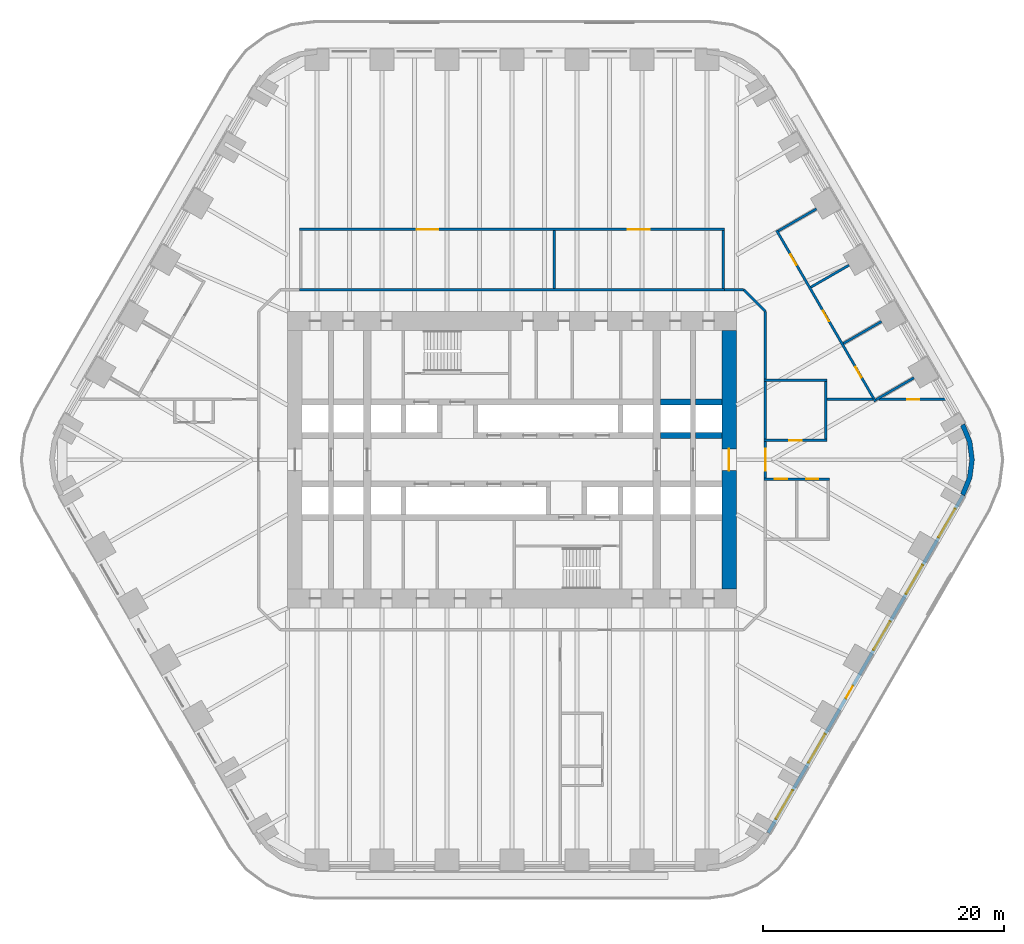
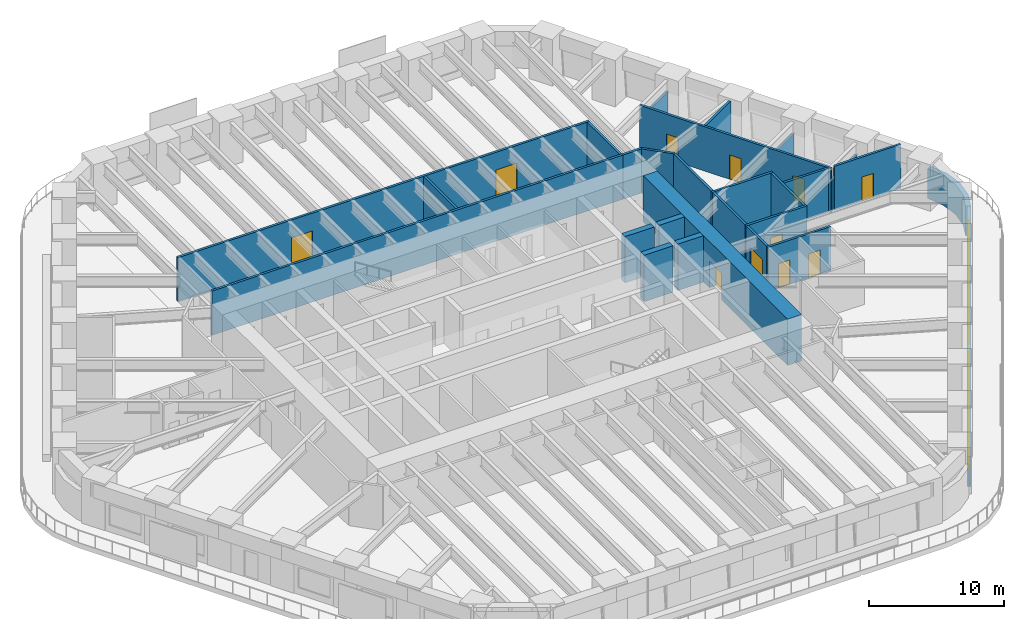
# One storey, part 19 of 23: 27 walls, 12 doors, 5 windows, 17 openings.
"""IFC4 building model written with IfcOpenShell, lengths in metres."""

from ifc_helpers import new_model, si_unit, direction, frame, frame_2d, origin, place, context, subcontext, project, spatial, polyline, rectangle, outline, extrude, material, layer, layer_set, type_object, element, fill, save


model = new_model("IFC4")

# Units and contexts
model_context = context("Model", 3, precision=1e-05, world=origin(), true_north=direction((0.0, 1.0)))
body_context = subcontext(model_context, "Body", "Model", "MODEL_VIEW")
ifc_project = project(units=[si_unit("LENGTHUNIT", "METRE"), si_unit("AREAUNIT", "SQUARE_METRE"), si_unit("VOLUMEUNIT", "CUBIC_METRE"), si_unit("PLANEANGLEUNIT", "RADIAN"), si_unit("MASSUNIT", "GRAM", prefix="KILO")], contexts=[model_context])

# Site, building, storey
site_placement = place(None, origin())
site = spatial("IfcSite", under=ifc_project, at=site_placement, CompositionType="ELEMENT")
building_placement = place(site_placement, origin())
building = spatial("IfcBuilding", under=site, at=building_placement, Name="Tarfa Lantern Tower", CompositionType="ELEMENT")
storey_placement = place(building_placement, frame((0.0, 0.0, 48.699951171875)))
storey = spatial("IfcBuildingStorey", under=building, at=storey_placement, Name="L10", CompositionType="ELEMENT", Elevation=48.699951171875)

# Wall, openings, door, windows
ifc_material_1 = material(Name="Limestone cladding on blockwork", Category="masonry")
ifc_layer_1 = layer(ifc_material_1, 0.300048828125)
ifc_layer_set_1 = layer_set([ifc_layer_1], Name="EW1 STONE-CLAD WALL 300")
wall_type_1 = type_object("IfcWallType", Name="EW1 STONE-CLAD WALL 300", PredefinedType="SOLIDWALL", material=ifc_layer_set_1)
wall_1_placement = place(storey_placement, frame((21.232177734375, -30.925048828125, 0.0), z_axis=(0.0, 0.0, 1.0), x_axis=(0.499999163675, 0.866025886636, 0.0)))
wall_1 = element("IfcWall", 1, at=wall_1_placement, inside=storey, type_object=wall_type_1, Name="Stone wall SE", PredefinedType="SOLIDWALL", context=body_context, shape_type="SweptSolid", body=[
    extrude(rectangle(XDim=32.33154296875, YDim=0.300048828125, at=frame_2d((16.165771484375, 0.0))), origin(), (0.0, 0.0, 1.0), 2.699951171875),
])
opening_1_placement = place(wall_1_placement, frame((1.3193359375, 0.0, 0.60009765625)))
opening_1 = element("IfcOpeningElement", 2, at=opening_1_placement, cuts=wall_1, Name="Opening W2", PredefinedType="OPENING", context=body_context, shape_type="SweptSolid", body=[
    extrude(rectangle(XDim=2.75, YDim=1.85009765625, at=frame_2d((1.375, 0.925048828125))), frame((0.0, 0.159912109375, 0.0), z_axis=(0.0, -1.0, 0.0), x_axis=(1.0, 0.0, 0.0)), (0.0, 0.0, 1.0), 0.320068359375),
])
opening_2_placement = place(wall_1_placement, frame((6.7080078125, 0.0, 0.60009765625)))
opening_2 = element("IfcOpeningElement", 3, at=opening_2_placement, cuts=wall_1, Name="Opening W2", PredefinedType="OPENING", context=body_context, shape_type="SweptSolid", body=[
    extrude(rectangle(XDim=2.75, YDim=1.85009765625, at=frame_2d((1.375, 0.925048828125))), frame((0.0, 0.159912109375, 0.0), z_axis=(0.0, -1.0, 0.0), x_axis=(1.0, 0.0, 0.0)), (0.0, 0.0, 1.0), 0.320068359375),
])
opening_3_placement = place(wall_1_placement, frame((12.87158203125, 0.0, 0.0)))
opening_3 = element("IfcOpeningElement", 4, at=opening_3_placement, cuts=wall_1, Name="Opening D50", PredefinedType="OPENING", context=body_context, shape_type="SweptSolid", body=[
    extrude(rectangle(XDim=1.199951171875, YDim=2.39990234375, at=frame_2d((0.60009765625, 1.199951171875))), frame((0.0, 0.159912109375, 0.0), z_axis=(0.0, -1.0, 0.0), x_axis=(1.0, 0.0, 0.0)), (0.0, 0.0, 1.0), 0.320068359375),
])
opening_4_placement = place(wall_1_placement, frame((17.485107421875, 0.0, 0.60009765625)))
opening_4 = element("IfcOpeningElement", 5, at=opening_4_placement, cuts=wall_1, Name="Opening W2", PredefinedType="OPENING", context=body_context, shape_type="SweptSolid", body=[
    extrude(rectangle(XDim=2.75, YDim=1.85009765625, at=frame_2d((1.375, 0.925048828125))), frame((0.0, 0.159912109375, 0.0), z_axis=(0.0, -1.0, 0.0), x_axis=(1.0, 0.0, 0.0)), (0.0, 0.0, 1.0), 0.320068359375),
])
opening_5_placement = place(wall_1_placement, frame((22.873779296875, 0.0, 0.60009765625)))
opening_5 = element("IfcOpeningElement", 6, at=opening_5_placement, cuts=wall_1, Name="Opening W2", PredefinedType="OPENING", context=body_context, shape_type="SweptSolid", body=[
    extrude(rectangle(XDim=2.75, YDim=1.85009765625, at=frame_2d((1.375, 0.925048828125))), frame((0.0, 0.159912109375, 0.0), z_axis=(0.0, -1.0, 0.0), x_axis=(1.0, 0.0, 0.0)), (0.0, 0.0, 1.0), 0.320068359375),
])
opening_6_placement = place(wall_1_placement, frame((28.26220703125, 0.0, 0.60009765625)))
opening_6 = element("IfcOpeningElement", 7, at=opening_6_placement, cuts=wall_1, Name="Opening W2", PredefinedType="OPENING", context=body_context, shape_type="SweptSolid", body=[
    extrude(rectangle(XDim=2.75, YDim=1.85009765625, at=frame_2d((1.375, 0.925048828125))), frame((0.0, 0.159912109375, 0.0), z_axis=(0.0, -1.0, 0.0), x_axis=(1.0, 0.0, 0.0)), (0.0, 0.0, 1.0), 0.320068359375),
])
ifc_material_2 = material(Name="Aluminium framed glazed door", Category="aluminium")
door_type_1 = type_object("IfcDoorType", Name="BE3 BALCONY DOOR 1200x2400", OperationType="SINGLE_SWING_RIGHT", PredefinedType="DOOR", material=ifc_material_2)
door_1_placement = place(opening_3_placement, origin())
door_1 = element("IfcDoor", 8, at=door_1_placement, inside=storey, type_object=door_type_1, Name="Balcony door SE", OperationType="SINGLE_SWING_RIGHT", OverallHeight=2.39990234375, OverallWidth=1.199951171875, PredefinedType="DOOR", context=body_context, shape_type="SweptSolid", body=[
    extrude(rectangle(XDim=1.199951171875, YDim=2.39990234375, at=frame_2d((0.60009765625, 1.199951171875))), frame((0.0, 0.02490234375, 0.0), z_axis=(0.0, -1.0, 0.0), x_axis=(1.0, 0.0, 0.0)), (0.0, 0.0, 1.0), 0.050048828125),
])
fill(opening_3, door_1)
ifc_material_3 = material(Name="Aluminium frame, double glazed", Category="aluminium")
window_type = type_object("IfcWindowType", Name="W2 FULL-HEIGHT GLAZING 2750x1850", PartitioningType="SINGLE_PANEL", PredefinedType="WINDOW", material=ifc_material_3)
window_1_placement = place(opening_1_placement, origin())
window_1 = element("IfcWindow", 9, at=window_1_placement, inside=storey, type_object=window_type, Name="Window SE 1", OverallHeight=1.85009765625, OverallWidth=2.75, PartitioningType="SINGLE_PANEL", PredefinedType="WINDOW", context=body_context, shape_type="SweptSolid", body=[
    extrude(rectangle(XDim=2.75, YDim=1.85009765625, at=frame_2d((1.375, 0.925048828125))), frame((0.0, 0.030029296875, 0.0), z_axis=(0.0, -1.0, 0.0), x_axis=(1.0, 0.0, 0.0)), (0.0, 0.0, 1.0), 0.06005859375),
])
fill(opening_1, window_1)
window_2_placement = place(opening_2_placement, origin())
window_2 = element("IfcWindow", 10, at=window_2_placement, inside=storey, type_object=window_type, Name="Window SE 2", OverallHeight=1.85009765625, OverallWidth=2.75, PartitioningType="SINGLE_PANEL", PredefinedType="WINDOW", context=body_context, shape_type="SweptSolid", body=[
    extrude(rectangle(XDim=2.75, YDim=1.85009765625, at=frame_2d((1.375, 0.925048828125))), frame((0.0, 0.030029296875, 0.0), z_axis=(0.0, -1.0, 0.0), x_axis=(1.0, 0.0, 0.0)), (0.0, 0.0, 1.0), 0.06005859375),
])
fill(opening_2, window_2)
window_3_placement = place(opening_4_placement, origin())
window_3 = element("IfcWindow", 11, at=window_3_placement, inside=storey, type_object=window_type, Name="Window SE 4", OverallHeight=1.85009765625, OverallWidth=2.75, PartitioningType="SINGLE_PANEL", PredefinedType="WINDOW", context=body_context, shape_type="SweptSolid", body=[
    extrude(rectangle(XDim=2.75, YDim=1.85009765625, at=frame_2d((1.375, 0.925048828125))), frame((0.0, 0.030029296875, 0.0), z_axis=(0.0, -1.0, 0.0), x_axis=(1.0, 0.0, 0.0)), (0.0, 0.0, 1.0), 0.06005859375),
])
fill(opening_4, window_3)
window_4_placement = place(opening_5_placement, origin())
window_4 = element("IfcWindow", 12, at=window_4_placement, inside=storey, type_object=window_type, Name="Window SE 5", OverallHeight=1.85009765625, OverallWidth=2.75, PartitioningType="SINGLE_PANEL", PredefinedType="WINDOW", context=body_context, shape_type="SweptSolid", body=[
    extrude(rectangle(XDim=2.75, YDim=1.85009765625, at=frame_2d((1.375, 0.925048828125))), frame((0.0, 0.030029296875, 0.0), z_axis=(0.0, -1.0, 0.0), x_axis=(1.0, 0.0, 0.0)), (0.0, 0.0, 1.0), 0.06005859375),
])
fill(opening_5, window_4)
window_5_placement = place(opening_6_placement, origin())
window_5 = element("IfcWindow", 13, at=window_5_placement, inside=storey, type_object=window_type, Name="Window SE 6", OverallHeight=1.85009765625, OverallWidth=2.75, PartitioningType="SINGLE_PANEL", PredefinedType="WINDOW", context=body_context, shape_type="SweptSolid", body=[
    extrude(rectangle(XDim=2.75, YDim=1.85009765625, at=frame_2d((1.375, 0.925048828125))), frame((0.0, 0.030029296875, 0.0), z_axis=(0.0, -1.0, 0.0), x_axis=(1.0, 0.0, 0.0)), (0.0, 0.0, 1.0), 0.06005859375),
])
fill(opening_6, window_5)

# Walls
ifc_layer_2 = layer(ifc_material_1, 0.39990234375)
ifc_layer_set_2 = layer_set([ifc_layer_2], Name="EW2 CURVED STONE CORNER 400")
wall_type_2 = type_object("IfcWallType", Name="EW2 CURVED STONE CORNER 400", PredefinedType="SOLIDWALL", material=ifc_layer_set_2)
wall_2_placement = place(storey_placement, origin())
element("IfcWall", 14, at=wall_2_placement, inside=storey, type_object=wall_type_2, Name="Stone corner SE-NE", PredefinedType="SOLIDWALL", context=body_context, shape_type="SweptSolid", body=[
    extrude(outline(polyline([(37.52783203125, -3.0), (38.127197265625, -1.552978515625), (38.33154296875, 0.0), (38.127197265625, 1.552978515625), (37.52783203125, 3.0), (37.181396484375, 2.800048828125), (37.74072265625, 1.449462890625), (37.931640625, 0.0), (37.74072265625, -1.449462890625), (37.181396484375, -2.800048828125), (37.52783203125, -3.0)])), origin(), (0.0, 0.0, 1.0), 2.699951171875),
])
ifc_material_4 = material(Name="Gypsum board on steel studs", Category="steel")
ifc_layer_3 = layer(ifc_material_4, 0.2099609375)
ifc_layer_set_3 = layer_set([ifc_layer_3], Name="IW2 ACOUSTIC PARTITION 200")
wall_type_3 = type_object("IfcWallType", Name="IW2 ACOUSTIC PARTITION 200", PredefinedType="PARTITIONING", material=ifc_layer_set_3)
wall_3_placement = place(storey_placement, frame((-17.60009765625, 14.10009765625, 0.0), z_axis=(0.0, 0.0, 1.0), x_axis=(1.0, 0.0, 0.0)))
element("IfcWall", 15, at=wall_3_placement, inside=storey, type_object=wall_type_3, Name="Partition", PredefinedType="PARTITIONING", context=body_context, shape_type="SweptSolid", body=[
    extrude(rectangle(XDim=35.2001953125, YDim=0.199951171875, at=frame_2d((17.60009765625, 0.0))), origin(), (0.0, 0.0, 1.0), 4.0),
])

# Wall, openings, doors
wall_4_placement = place(storey_placement, frame((-17.60009765625, 19.10009765625, 0.0), z_axis=(0.0, 0.0, 1.0), x_axis=(1.0, 0.0, 0.0)))
wall_4 = element("IfcWall", 16, at=wall_4_placement, inside=storey, type_object=wall_type_3, Name="Partition", PredefinedType="PARTITIONING", context=body_context, shape_type="SweptSolid", body=[
    extrude(rectangle(XDim=35.2001953125, YDim=0.199951171875, at=frame_2d((17.60009765625, 0.0))), origin(), (0.0, 0.0, 1.0), 4.0),
])
opening_7_placement = place(wall_4_placement, frame((9.699951171875, 0.0, 0.0)))
opening_7 = element("IfcOpeningElement", 17, at=opening_7_placement, cuts=wall_4, Name="Opening D37", PredefinedType="OPENING", context=body_context, shape_type="SweptSolid", body=[
    extrude(rectangle(XDim=1.800048828125, YDim=2.39990234375, at=frame_2d((0.89990234375, 1.199951171875))), frame((0.0, 0.10986328125, 0.0), z_axis=(0.0, -1.0, 0.0), x_axis=(1.0, 0.0, 0.0)), (0.0, 0.0, 1.0), 0.219970703125),
])
opening_8_placement = place(wall_4_placement, frame((27.199951171875, 0.0, 0.0)))
opening_8 = element("IfcOpeningElement", 18, at=opening_8_placement, cuts=wall_4, Name="Opening D38", PredefinedType="OPENING", context=body_context, shape_type="SweptSolid", body=[
    extrude(rectangle(XDim=1.800048828125, YDim=2.39990234375, at=frame_2d((0.89990234375, 1.199951171875))), frame((0.0, 0.10986328125, 0.0), z_axis=(0.0, -1.0, 0.0), x_axis=(1.0, 0.0, 0.0)), (0.0, 0.0, 1.0), 0.219970703125),
])
ifc_material_5 = material(Name="Timber door", Category="wood")
door_type_2 = type_object("IfcDoorType", Name="DR2 ROOM DOOR 1800x2400", OperationType="DOUBLE_DOOR_SINGLE_SWING", PredefinedType="DOOR", material=ifc_material_5)
door_2_placement = place(opening_7_placement, frame((1.800048828125, 0.0, 0.0), z_axis=(0.0, 0.0, 1.0), x_axis=(-1.0, 0.0, 0.0)))
door_2 = element("IfcDoor", 19, at=door_2_placement, inside=storey, type_object=door_type_2, Name="Device lab door", OperationType="DOUBLE_DOOR_SINGLE_SWING", OverallHeight=2.39990234375, OverallWidth=1.800048828125, PredefinedType="DOOR", context=body_context, shape_type="SweptSolid", body=[
    extrude(rectangle(XDim=1.800048828125, YDim=2.39990234375, at=frame_2d((0.89990234375, 1.199951171875))), frame((0.0, 0.02490234375, 0.0), z_axis=(0.0, -1.0, 0.0), x_axis=(1.0, 0.0, 0.0)), (0.0, 0.0, 1.0), 0.050048828125),
])
fill(opening_7, door_2)
door_3_placement = place(opening_8_placement, frame((1.800048828125, 0.0, 0.0), z_axis=(0.0, 0.0, 1.0), x_axis=(-1.0, 0.0, 0.0)))
door_3 = element("IfcDoor", 20, at=door_3_placement, inside=storey, type_object=door_type_2, Name="Communications room door", OperationType="DOUBLE_DOOR_SINGLE_SWING", OverallHeight=2.39990234375, OverallWidth=1.800048828125, PredefinedType="DOOR", context=body_context, shape_type="SweptSolid", body=[
    extrude(rectangle(XDim=1.800048828125, YDim=2.39990234375, at=frame_2d((0.89990234375, 1.199951171875))), frame((0.0, 0.02490234375, 0.0), z_axis=(0.0, -1.0, 0.0), x_axis=(1.0, 0.0, 0.0)), (0.0, 0.0, 1.0), 0.050048828125),
])
fill(opening_8, door_3)

# Walls
for number, where, z_axis, x_axis, name in (
    (21, (3.5, 14.199951171875, 0.0), (0.0, 0.0, 1.0), (0.0, 1.0, 0.0), "Partition"),
    (22, (17.5, 14.199951171875, 0.0), (0.0, 0.0, 1.0), (0.0, 1.0, 0.0), "Partition"),
):
    element("IfcWall", number, at=place(storey_placement, frame(where, z_axis=z_axis, x_axis=x_axis)), inside=storey, type_object=wall_type_3, Name=name, PredefinedType="PARTITIONING", context=body_context, shape_type="SweptSolid", body=[
        extrude(rectangle(XDim=4.800048828125, YDim=0.199951171875, at=frame_2d((2.39990234375, 0.0))), origin(), (0.0, 0.0, 1.0), 4.0),
    ])

# Wall, openings, doors
wall_5_placement = place(storey_placement, frame((30.120361328125, 4.830078125, 0.0), z_axis=(0.0, 0.0, 1.0), x_axis=(-0.500000949028, 0.866024855862, 0.0)))
wall_5 = element("IfcWall", 23, at=wall_5_placement, inside=storey, type_object=wall_type_3, Name="Partition", PredefinedType="PARTITIONING", context=body_context, shape_type="SweptSolid", body=[
    extrude(rectangle(XDim=16.36572265625, YDim=0.199951171875, at=frame_2d((8.182861328125, 0.0))), origin(), (0.0, 0.0, 1.0), 4.0),
])
opening_9_placement = place(wall_5_placement, frame((2.294189453125, 0.0, 0.0)))
opening_9 = element("IfcOpeningElement", 24, at=opening_9_placement, cuts=wall_5, Name="Opening D32", PredefinedType="OPENING", context=body_context, shape_type="SweptSolid", body=[
    extrude(rectangle(XDim=1.0, YDim=2.199951171875, at=frame_2d((0.5, 1.10009765625))), frame((0.0, 0.10986328125, 0.0), z_axis=(0.0, -1.0, 0.0), x_axis=(1.0, 0.0, 0.0)), (0.0, 0.0, 1.0), 0.219970703125),
])
opening_10_placement = place(wall_5_placement, frame((7.682861328125, 0.0, 0.0)))
opening_10 = element("IfcOpeningElement", 25, at=opening_10_placement, cuts=wall_5, Name="Opening D33", PredefinedType="OPENING", context=body_context, shape_type="SweptSolid", body=[
    extrude(rectangle(XDim=1.0, YDim=2.199951171875, at=frame_2d((0.5, 1.10009765625))), frame((0.0, 0.10986328125, 0.0), z_axis=(0.0, -1.0, 0.0), x_axis=(1.0, 0.0, 0.0)), (0.0, 0.0, 1.0), 0.219970703125),
])
opening_11_placement = place(wall_5_placement, frame((13.071533203125, 0.0, 0.0)))
opening_11 = element("IfcOpeningElement", 26, at=opening_11_placement, cuts=wall_5, Name="Opening D34", PredefinedType="OPENING", context=body_context, shape_type="SweptSolid", body=[
    extrude(rectangle(XDim=1.0, YDim=2.199951171875, at=frame_2d((0.5, 1.10009765625))), frame((0.0, 0.10986328125, 0.0), z_axis=(0.0, -1.0, 0.0), x_axis=(1.0, 0.0, 0.0)), (0.0, 0.0, 1.0), 0.219970703125),
])
door_type_3 = type_object("IfcDoorType", Name="DR1 ROOM DOOR 1000x2200", OperationType="SINGLE_SWING_LEFT", PredefinedType="DOOR", material=ifc_material_5)
door_4_placement = place(opening_9_placement, frame((1.0, 0.0, 0.0), z_axis=(0.0, 0.0, 1.0), x_axis=(-1.0, 0.0, 0.0)))
door_4 = element("IfcDoor", 27, at=door_4_placement, inside=storey, type_object=door_type_3, Name="Scrum room door", OperationType="SINGLE_SWING_LEFT", OverallHeight=2.199951171875, OverallWidth=1.0, PredefinedType="DOOR", context=body_context, shape_type="SweptSolid", body=[
    extrude(rectangle(XDim=1.0, YDim=2.199951171875, at=frame_2d((0.5, 1.10009765625))), frame((0.0, 0.02490234375, 0.0), z_axis=(0.0, -1.0, 0.0), x_axis=(1.0, 0.0, 0.0)), (0.0, 0.0, 1.0), 0.050048828125),
])
fill(opening_9, door_4)
door_5_placement = place(opening_10_placement, frame((1.0, 0.0, 0.0), z_axis=(0.0, 0.0, 1.0), x_axis=(-1.0, 0.0, 0.0)))
door_5 = element("IfcDoor", 28, at=door_5_placement, inside=storey, type_object=door_type_3, Name="Scrum room door", OperationType="SINGLE_SWING_RIGHT", OverallHeight=2.199951171875, OverallWidth=1.0, PredefinedType="DOOR", context=body_context, shape_type="SweptSolid", body=[
    extrude(rectangle(XDim=1.0, YDim=2.199951171875, at=frame_2d((0.5, 1.10009765625))), frame((0.0, 0.02490234375, 0.0), z_axis=(0.0, -1.0, 0.0), x_axis=(1.0, 0.0, 0.0)), (0.0, 0.0, 1.0), 0.050048828125),
])
fill(opening_10, door_5)
door_6_placement = place(opening_11_placement, frame((1.0, 0.0, 0.0), z_axis=(0.0, 0.0, 1.0), x_axis=(-1.0, 0.0, 0.0)))
door_6 = element("IfcDoor", 29, at=door_6_placement, inside=storey, type_object=door_type_3, Name="Scrum room door", OperationType="SINGLE_SWING_RIGHT", OverallHeight=2.199951171875, OverallWidth=1.0, PredefinedType="DOOR", context=body_context, shape_type="SweptSolid", body=[
    extrude(rectangle(XDim=1.0, YDim=2.199951171875, at=frame_2d((0.5, 1.10009765625))), frame((0.0, 0.02490234375, 0.0), z_axis=(0.0, -1.0, 0.0), x_axis=(1.0, 0.0, 0.0)), (0.0, 0.0, 1.0), 0.050048828125),
])
fill(opening_11, door_6)

# Walls
for number, where, z_axis, x_axis, name in (
    (30, (30.156982421875, 4.966552734375, 0.0), (0.0, 0.0, 1.0), (0.865995104784, 0.500052475737, 0.0), "Partition"),
    (31, (27.462646484375, 9.63330078125, 0.0), (0.0, 0.0, 1.0), (0.866024069551, 0.500002310952, 0.0), "Partition"),
):
    element("IfcWall", number, at=place(storey_placement, frame(where, z_axis=z_axis, x_axis=x_axis)), inside=storey, type_object=wall_type_3, Name=name, PredefinedType="PARTITIONING", context=body_context, shape_type="SweptSolid", body=[
        extrude(rectangle(XDim=3.64990234375, YDim=0.199951171875, at=frame_2d((1.824951171875, 0.0))), origin(), (0.0, 0.0, 1.0), 2.944091796875),
    ])
wall_6_placement = place(storey_placement, frame((24.768310546875, 14.300048828125, 0.0), z_axis=(0.0, 0.0, 1.0), x_axis=(0.866024069551, 0.500002310952, 0.0)))
element("IfcWall", 32, at=wall_6_placement, inside=storey, type_object=wall_type_3, Name="Partition", PredefinedType="PARTITIONING", context=body_context, shape_type="SweptSolid", body=[
    extrude(rectangle(XDim=3.64990234375, YDim=0.199951171875, at=frame_2d((1.824951171875, 0.0))), origin(), (0.0, 0.0, 1.0), 4.0),
])
wall_7_placement = place(storey_placement, frame((22.073974609375, 18.966552734375, 0.0), z_axis=(0.0, 0.0, 1.0), x_axis=(0.866011828767, 0.500023511883, 0.0)))
element("IfcWall", 33, at=wall_7_placement, inside=storey, type_object=wall_type_3, Name="Partition", PredefinedType="PARTITIONING", context=body_context, shape_type="SweptSolid", body=[
    extrude(rectangle(XDim=3.650146484375, YDim=0.199951171875, at=frame_2d((1.8251953125, 0.0))), origin(), (0.0, 0.0, 1.0), 2.991943359375),
])

# Wall, opening, door
wall_8_placement = place(storey_placement, frame((20.89990234375, 1.60009765625, 0.0), z_axis=(0.0, 0.0, 1.0), x_axis=(1.0, 0.0, 0.0)))
wall_8 = element("IfcWall", 34, at=wall_8_placement, inside=storey, type_object=wall_type_3, Name="Partition", PredefinedType="PARTITIONING", context=body_context, shape_type="SweptSolid", body=[
    extrude(rectangle(XDim=5.2001953125, YDim=0.199951171875, at=frame_2d((2.60009765625, 0.0))), origin(), (0.0, 0.0, 1.0), 4.0),
])
opening_12_placement = place(wall_8_placement, frame((2.10009765625, 0.0, 0.0)))
opening_12 = element("IfcOpeningElement", 35, at=opening_12_placement, cuts=wall_8, Name="Opening D29", PredefinedType="OPENING", context=body_context, shape_type="SweptSolid", body=[
    extrude(rectangle(XDim=1.0, YDim=2.199951171875, at=frame_2d((0.5, 1.10009765625))), frame((0.0, 0.10986328125, 0.0), z_axis=(0.0, -1.0, 0.0), x_axis=(1.0, 0.0, 0.0)), (0.0, 0.0, 1.0), 0.219970703125),
])
door_7_placement = place(opening_12_placement, origin())
door_7 = element("IfcDoor", 36, at=door_7_placement, inside=storey, type_object=door_type_3, Name="Pantry door", OperationType="SINGLE_SWING_RIGHT", OverallHeight=2.199951171875, OverallWidth=1.0, PredefinedType="DOOR", context=body_context, shape_type="SweptSolid", body=[
    extrude(rectangle(XDim=1.0, YDim=2.199951171875, at=frame_2d((0.5, 1.10009765625))), frame((0.0, 0.02490234375, 0.0), z_axis=(0.0, -1.0, 0.0), x_axis=(1.0, 0.0, 0.0)), (0.0, 0.0, 1.0), 0.050048828125),
])
fill(opening_12, door_7)

# Walls
wall_9_placement = place(storey_placement, frame((20.89990234375, 6.60009765625, 0.0), z_axis=(0.0, 0.0, 1.0), x_axis=(1.0, 0.0, 0.0)))
element("IfcWall", 37, at=wall_9_placement, inside=storey, type_object=wall_type_3, Name="Partition", PredefinedType="PARTITIONING", context=body_context, shape_type="SweptSolid", body=[
    extrude(rectangle(XDim=5.2001953125, YDim=0.199951171875, at=frame_2d((2.60009765625, 0.0))), origin(), (0.0, 0.0, 1.0), 4.0),
])
for number, where, z_axis, x_axis, name in (
    (38, (21.0, 1.699951171875, 0.0), (0.0, 0.0, 1.0), (0.0, 1.0, 0.0), "Partition"),
    (39, (26.0, 1.699951171875, 0.0), (0.0, 0.0, 1.0), (0.0, 1.0, 0.0), "Partition"),
):
    element("IfcWall", number, at=place(storey_placement, frame(where, z_axis=z_axis, x_axis=x_axis)), inside=storey, type_object=wall_type_3, Name=name, PredefinedType="PARTITIONING", context=body_context, shape_type="SweptSolid", body=[
        extrude(rectangle(XDim=4.800048828125, YDim=0.199951171875, at=frame_2d((2.39990234375, 0.0))), origin(), (0.0, 0.0, 1.0), 4.0),
    ])

# Wall, openings, doors
wall_10_placement = place(storey_placement, frame((20.89990234375, -1.60009765625, 0.0), z_axis=(0.0, 0.0, 1.0), x_axis=(1.0, 0.0, 0.0)))
wall_10 = element("IfcWall", 40, at=wall_10_placement, inside=storey, type_object=wall_type_3, Name="Partition", PredefinedType="PARTITIONING", context=body_context, shape_type="SweptSolid", body=[
    extrude(rectangle(XDim=5.400146484375, YDim=0.199951171875, at=frame_2d((2.7001953125, 0.0))), origin(), (0.0, 0.0, 1.0), 4.0),
])
opening_13_placement = place(wall_10_placement, frame((0.89990234375, 0.0, 0.0)))
opening_13 = element("IfcOpeningElement", 41, at=opening_13_placement, cuts=wall_10, Name="Opening D30", PredefinedType="OPENING", context=body_context, shape_type="SweptSolid", body=[
    extrude(rectangle(XDim=1.0, YDim=2.199951171875, at=frame_2d((0.5, 1.10009765625))), frame((0.0, 0.10986328125, 0.0), z_axis=(0.0, -1.0, 0.0), x_axis=(1.0, 0.0, 0.0)), (0.0, 0.0, 1.0), 0.219970703125),
])
opening_14_placement = place(wall_10_placement, frame((3.5, 0.0, 0.0)))
opening_14 = element("IfcOpeningElement", 42, at=opening_14_placement, cuts=wall_10, Name="Opening D31", PredefinedType="OPENING", context=body_context, shape_type="SweptSolid", body=[
    extrude(rectangle(XDim=1.0, YDim=2.199951171875, at=frame_2d((0.5, 1.10009765625))), frame((0.0, 0.10986328125, 0.0), z_axis=(0.0, -1.0, 0.0), x_axis=(1.0, 0.0, 0.0)), (0.0, 0.0, 1.0), 0.219970703125),
])
door_8_placement = place(opening_13_placement, frame((1.0, 0.0, 0.0), z_axis=(0.0, 0.0, 1.0), x_axis=(-1.0, 0.0, 0.0)))
door_8 = element("IfcDoor", 43, at=door_8_placement, inside=storey, type_object=door_type_3, Name="Focus room door", OperationType="SINGLE_SWING_LEFT", OverallHeight=2.199951171875, OverallWidth=1.0, PredefinedType="DOOR", context=body_context, shape_type="SweptSolid", body=[
    extrude(rectangle(XDim=1.0, YDim=2.199951171875, at=frame_2d((0.5, 1.10009765625))), frame((0.0, 0.02490234375, 0.0), z_axis=(0.0, -1.0, 0.0), x_axis=(1.0, 0.0, 0.0)), (0.0, 0.0, 1.0), 0.050048828125),
])
fill(opening_13, door_8)
door_9_placement = place(opening_14_placement, frame((1.0, 0.0, 0.0), z_axis=(0.0, 0.0, 1.0), x_axis=(-1.0, 0.0, 0.0)))
door_9 = element("IfcDoor", 44, at=door_9_placement, inside=storey, type_object=door_type_3, Name="Focus room door", OperationType="SINGLE_SWING_RIGHT", OverallHeight=2.199951171875, OverallWidth=1.0, PredefinedType="DOOR", context=body_context, shape_type="SweptSolid", body=[
    extrude(rectangle(XDim=1.0, YDim=2.199951171875, at=frame_2d((0.5, 1.10009765625))), frame((0.0, 0.02490234375, 0.0), z_axis=(0.0, -1.0, 0.0), x_axis=(1.0, 0.0, 0.0)), (0.0, 0.0, 1.0), 0.050048828125),
])
fill(opening_14, door_9)

# Walls
wall_11_placement = place(storey_placement, frame((17.60009765625, 14.10009765625, 0.0), z_axis=(0.0, 0.0, 1.0), x_axis=(1.0, 0.0, 0.0)))
element("IfcWall", 45, at=wall_11_placement, inside=storey, type_object=wall_type_3, Name="Partition", PredefinedType="PARTITIONING", context=body_context, shape_type="SweptSolid", body=[
    extrude(rectangle(XDim=1.599853515625, YDim=0.199951171875, at=frame_2d((0.7998046875, 0.0))), origin(), (0.0, 0.0, 1.0), 4.0),
])
wall_12_placement = place(storey_placement, frame((19.199951171875, 14.10009765625, 0.0), z_axis=(0.0, 0.0, 1.0), x_axis=(0.707106781187, -0.707106781187, 0.0)))
element("IfcWall", 46, at=wall_12_placement, inside=storey, type_object=wall_type_3, Name="Partition", PredefinedType="PARTITIONING", context=body_context, shape_type="SweptSolid", body=[
    extrude(rectangle(XDim=2.545654296875, YDim=0.199951171875, at=frame_2d((1.27294921875, 0.0))), origin(), (0.0, 0.0, 1.0), 4.0),
])

# Wall, opening, door
wall_13_placement = place(storey_placement, frame((21.0, 1.4990234375, 0.0), z_axis=(0.0, 0.0, 1.0), x_axis=(0.0, -1.0, 0.0)))
wall_13 = element("IfcWall", 47, at=wall_13_placement, inside=storey, type_object=wall_type_3, Name="Partition", PredefinedType="PARTITIONING", context=body_context, shape_type="SweptSolid", body=[
    extrude(rectangle(XDim=2.998046875, YDim=0.199951171875, at=frame_2d((1.4990234375, 0.0))), origin(), (0.0, 0.0, 1.0), 4.0),
])
opening_15_placement = place(wall_13_placement, frame((0.59912109375, 0.0, 0.0)))
opening_15 = element("IfcOpeningElement", 48, at=opening_15_placement, cuts=wall_13, Name="Opening D43", PredefinedType="OPENING", context=body_context, shape_type="SweptSolid", body=[
    extrude(rectangle(XDim=1.800048828125, YDim=2.39990234375, at=frame_2d((0.89990234375, 1.199951171875))), frame((0.0, 0.10986328125, 0.0), z_axis=(0.0, -1.0, 0.0), x_axis=(1.0, 0.0, 0.0)), (0.0, 0.0, 1.0), 0.219970703125),
])
door_10_placement = place(opening_15_placement, origin())
door_10 = element("IfcDoor", 49, at=door_10_placement, inside=storey, type_object=door_type_2, Name="Corridor door", OperationType="DOUBLE_DOOR_SINGLE_SWING", OverallHeight=2.39990234375, OverallWidth=1.800048828125, PredefinedType="DOOR", context=body_context, shape_type="SweptSolid", body=[
    extrude(rectangle(XDim=1.800048828125, YDim=2.39990234375, at=frame_2d((0.89990234375, 1.199951171875))), frame((0.0, 0.02490234375, 0.0), z_axis=(0.0, -1.0, 0.0), x_axis=(1.0, 0.0, 0.0)), (0.0, 0.0, 1.0), 0.050048828125),
])
fill(opening_15, door_10)

# Walls
wall_14_placement = place(storey_placement, frame((21.0, 12.300048828125, 0.0), z_axis=(0.0, 0.0, 1.0), x_axis=(0.0, -1.0, 0.0)))
element("IfcWall", 50, at=wall_14_placement, inside=storey, type_object=wall_type_3, Name="Partition", PredefinedType="PARTITIONING", context=body_context, shape_type="SweptSolid", body=[
    extrude(rectangle(XDim=5.59912109375, YDim=0.199951171875, at=frame_2d((2.799560546875, 0.0))), origin(), (0.0, 0.0, 1.0), 4.0),
])
wall_15_placement = place(storey_placement, frame((26.10009765625, 5.0, 0.0), z_axis=(0.0, 0.0, 1.0), x_axis=(1.0, 0.0, 0.0)))
element("IfcWall", 51, at=wall_15_placement, inside=storey, type_object=wall_type_3, Name="Partition", PredefinedType="PARTITIONING", context=body_context, shape_type="SweptSolid", body=[
    extrude(rectangle(XDim=3.806640625, YDim=0.199951171875, at=frame_2d((1.9033203125, 0.0))), origin(), (0.0, 0.0, 1.0), 4.0),
])

# Wall, opening, door
wall_16_placement = place(storey_placement, frame((30.41455078125, 5.0, 0.0), z_axis=(0.0, 0.0, 1.0), x_axis=(1.0, 0.0, 0.0)))
wall_16 = element("IfcWall", 52, at=wall_16_placement, inside=storey, type_object=wall_type_3, Name="Partition", PredefinedType="PARTITIONING", context=body_context, shape_type="SweptSolid", body=[
    extrude(rectangle(XDim=5.704345703125, YDim=0.199951171875, at=frame_2d((2.85205078125, 0.0))), origin(), (0.0, 0.0, 1.0), 4.0),
])
opening_16_placement = place(wall_16_placement, frame((2.35205078125, 0.0, 0.0)))
opening_16 = element("IfcOpeningElement", 53, at=opening_16_placement, cuts=wall_16, Name="Opening D46", PredefinedType="OPENING", context=body_context, shape_type="SweptSolid", body=[
    extrude(rectangle(XDim=1.0, YDim=2.199951171875, at=frame_2d((0.5, 1.10009765625))), frame((0.0, 0.10986328125, 0.0), z_axis=(0.0, -1.0, 0.0), x_axis=(1.0, 0.0, 0.0)), (0.0, 0.0, 1.0), 0.219970703125),
])
door_11_placement = place(opening_16_placement, frame((1.0, 0.0, 0.0), z_axis=(0.0, 0.0, 1.0), x_axis=(-1.0, 0.0, 0.0)))
door_11 = element("IfcDoor", 54, at=door_11_placement, inside=storey, type_object=door_type_3, Name="Zone door", OperationType="SINGLE_SWING_RIGHT", OverallHeight=2.199951171875, OverallWidth=1.0, PredefinedType="DOOR", context=body_context, shape_type="SweptSolid", body=[
    extrude(rectangle(XDim=1.0, YDim=2.199951171875, at=frame_2d((0.5, 1.10009765625))), frame((0.0, 0.02490234375, 0.0), z_axis=(0.0, -1.0, 0.0), x_axis=(1.0, 0.0, 0.0)), (0.0, 0.0, 1.0), 0.050048828125),
])
fill(opening_16, door_11)

ifc_material_6 = material(Name="Concrete C80/95", Category="concrete")
ifc_layer_4 = layer(ifc_material_6, 1.199951171875)
ifc_layer_set_4 = layer_set([ifc_layer_4], Name="SW1 CORE WALL 1200")
wall_type_4 = type_object("IfcWallType", Name="SW1 CORE WALL 1200", PredefinedType="SHEAR", material=ifc_layer_set_4)
wall_17_placement = place(storey_placement, frame((18.0, -10.699951171875, 0.0), z_axis=(0.0, 0.0, 1.0), x_axis=(0.0, 1.0, 0.0)))
wall_17 = element("IfcWall", 55, at=wall_17_placement, inside=storey, type_object=wall_type_4, Name="Core wall E", PredefinedType="SHEAR", context=body_context, shape_type="SweptSolid", body=[
    extrude(rectangle(XDim=21.39990234375, YDim=1.199951171875, at=frame_2d((10.699951171875, 0.0))), origin(), (0.0, 0.0, 1.0), 4.199951171875),
])
opening_17_placement = place(wall_17_placement, frame((9.800048828125, 0.0, 0.0)))
opening_17 = element("IfcOpeningElement", 56, at=opening_17_placement, cuts=wall_17, Name="Opening D15", PredefinedType="OPENING", context=body_context, shape_type="SweptSolid", body=[
    extrude(rectangle(XDim=1.800048828125, YDim=2.39990234375, at=frame_2d((0.89990234375, 1.199951171875))), frame((0.0, 0.60986328125, 0.0), z_axis=(0.0, -1.0, 0.0), x_axis=(1.0, 0.0, 0.0)), (0.0, 0.0, 1.0), 1.219970703125),
])
ifc_material_7 = material(Name="Steel fire door", Category="steel")
door_type_4 = type_object("IfcDoorType", Name="DL1 LOBBY DOOR 1800x2400", OperationType="DOUBLE_DOOR_SINGLE_SWING", PredefinedType="DOOR", material=ifc_material_7)
door_12_placement = place(opening_17_placement, frame((1.800048828125, 0.0, 0.0), z_axis=(0.0, 0.0, 1.0), x_axis=(-1.0, 0.0, 0.0)))
door_12 = element("IfcDoor", 57, at=door_12_placement, inside=storey, type_object=door_type_4, Name="Lift lobby door", OperationType="DOUBLE_DOOR_SINGLE_SWING", OverallHeight=2.39990234375, OverallWidth=1.800048828125, PredefinedType="DOOR", context=body_context, shape_type="SweptSolid", body=[
    extrude(rectangle(XDim=1.800048828125, YDim=2.39990234375, at=frame_2d((0.89990234375, 1.199951171875))), frame((0.0, 0.02490234375, 0.0), z_axis=(0.0, -1.0, 0.0), x_axis=(1.0, 0.0, 0.0)), (0.0, 0.0, 1.0), 0.050048828125),
])
fill(opening_17, door_12)

# Walls
ifc_layer_5 = layer(ifc_material_6, 0.5)
ifc_layer_set_5 = layer_set([ifc_layer_5], Name="SW5 CORE WALL 500")
wall_type_5 = type_object("IfcWallType", Name="SW5 CORE WALL 500", PredefinedType="SHEAR", material=ifc_layer_set_5)
wall_18_placement = place(storey_placement, frame((12.300048828125, 2.0, 0.0), z_axis=(0.0, 0.0, 1.0), x_axis=(1.0, 0.0, 0.0)))
element("IfcWall", 58, at=wall_18_placement, inside=storey, type_object=wall_type_5, Name="Core wall lobby east N", PredefinedType="SHEAR", context=body_context, shape_type="SweptSolid", body=[
    extrude(rectangle(XDim=2.5, YDim=0.5, at=frame_2d((1.25, 0.0))), origin(), (0.0, 0.0, 1.0), 4.199951171875),
])
wall_19_placement = place(storey_placement, frame((15.199951171875, 2.0, 0.0), z_axis=(0.0, 0.0, 1.0), x_axis=(1.0, 0.0, 0.0)))
element("IfcWall", 59, at=wall_19_placement, inside=storey, type_object=wall_type_5, Name="Core wall lobby east N", PredefinedType="SHEAR", context=body_context, shape_type="SweptSolid", body=[
    extrude(rectangle(XDim=2.199951171875, YDim=0.5, at=frame_2d((1.10009765625, 0.0))), origin(), (0.0, 0.0, 1.0), 4.199951171875),
])
wall_20_placement = place(storey_placement, frame((12.300048828125, 4.800048828125, 0.0), z_axis=(0.0, 0.0, 1.0), x_axis=(1.0, 0.0, 0.0)))
element("IfcWall", 60, at=wall_20_placement, inside=storey, type_object=wall_type_5, Name="Core wall rear N", PredefinedType="SHEAR", context=body_context, shape_type="SweptSolid", body=[
    extrude(rectangle(XDim=2.5, YDim=0.5, at=frame_2d((1.25, 0.0))), origin(), (0.0, 0.0, 1.0), 4.199951171875),
])
wall_21_placement = place(storey_placement, frame((15.199951171875, 4.800048828125, 0.0), z_axis=(0.0, 0.0, 1.0), x_axis=(1.0, 0.0, 0.0)))
element("IfcWall", 61, at=wall_21_placement, inside=storey, type_object=wall_type_5, Name="Core wall rear N", PredefinedType="SHEAR", context=body_context, shape_type="SweptSolid", body=[
    extrude(rectangle(XDim=2.199951171875, YDim=0.5, at=frame_2d((1.10009765625, 0.0))), origin(), (0.0, 0.0, 1.0), 4.199951171875),
])

save(model, "model.ifc")
